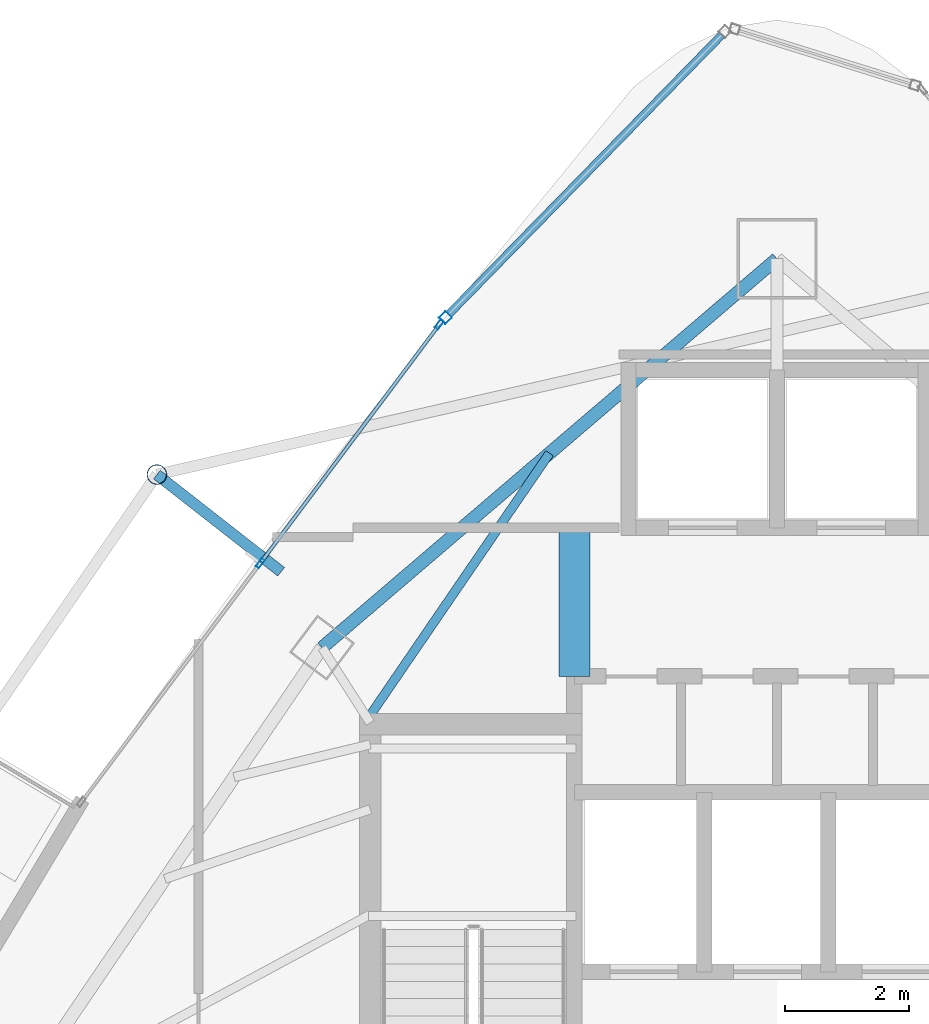
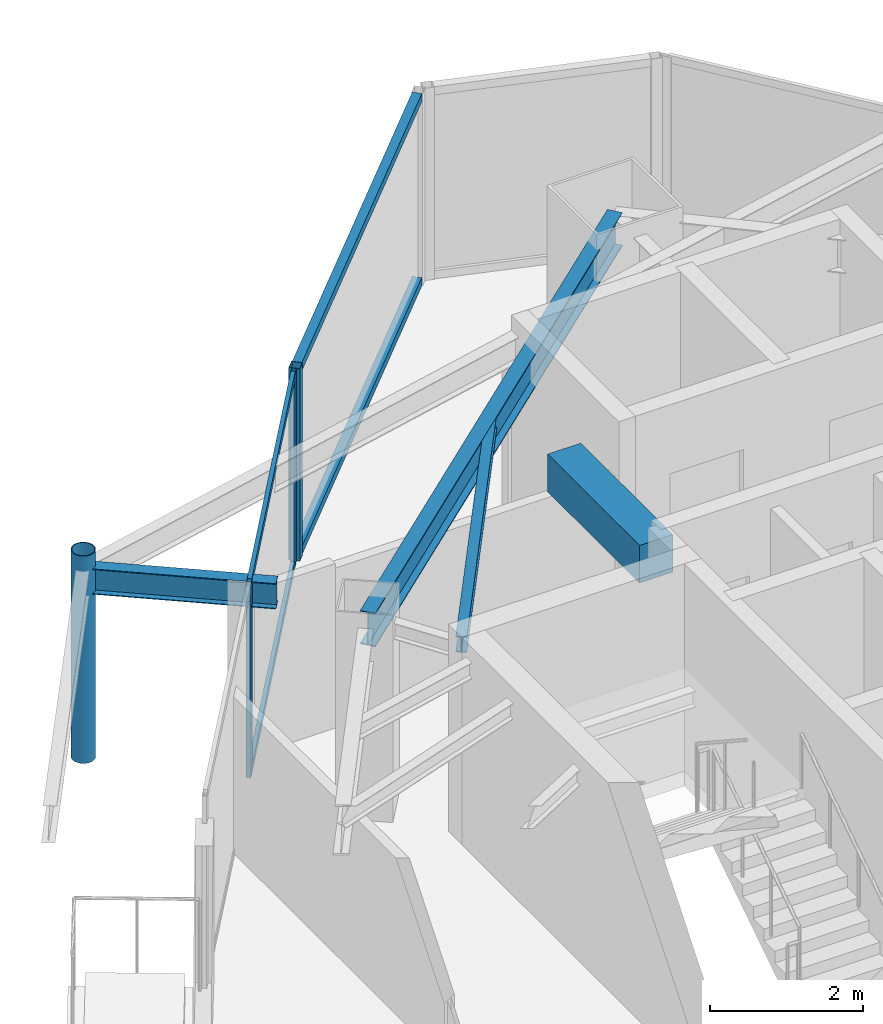
# One storey, part 20 of 29: 8 members, 4 beams, 2 elements without a shape of their own.
"""IFC4 building model written with IfcOpenShell, lengths in metres."""

from ifc_helpers import new_model, si_unit, direction, frame, origin, origin_2d, place, context, subcontext, project, spatial, rectangle, hollow_rectangle, hollow_circle, i_section, extrude, material, layer, layer_set, material_profile, profile_set, type_object, element, aggregate, save


model = new_model("IFC4")

# Units and contexts
model_context = context("Model", 3, precision=1e-05, world=origin(), true_north=direction((0.0, 1.0)))
body_context = subcontext(model_context, "Body", "Model", "MODEL_VIEW")
ifc_project = project(units=[si_unit("LENGTHUNIT", "METRE"), si_unit("AREAUNIT", "SQUARE_METRE"), si_unit("VOLUMEUNIT", "CUBIC_METRE"), si_unit("PLANEANGLEUNIT", "RADIAN"), si_unit("MASSUNIT", "GRAM", prefix="KILO")], contexts=[model_context])

# Site, building, storey
site_placement = place(None, origin())
site = spatial("IfcSite", under=ifc_project, at=site_placement, CompositionType="ELEMENT")
building_placement = place(site_placement, origin())
building = spatial("IfcBuilding", under=site, at=building_placement, Name="Orvanel Arch Residences", CompositionType="ELEMENT")
storey_placement = place(building_placement, frame((0.0, 0.0, 243.64990234375)))
storey = spatial("IfcBuildingStorey", under=building, at=storey_placement, Name="L69", CompositionType="ELEMENT", Elevation=243.64990234375)

# Beams
ifc_material_1 = material(Name="Structural steel AS/NZS 3679.1 Grade 300 (300 MPa)", Category="steel")
ifc_material_profile_1 = material_profile(ifc_material_1, i_section(OverallWidth=0.14599609375, OverallDepth=0.251953125, WebThickness=0.006103515625, FlangeThickness=0.008544921875, at=origin_2d()), Name="250UB31.4")
ifc_profile_set_1 = profile_set([ifc_material_profile_1], Name="Structural steel AS/NZS 3679.1 Grade 300 (300 MPa)")
beam_type_1 = type_object("IfcBeamType", Name="BJ-250UB", PredefinedType="JOIST", material=ifc_profile_set_1)
beam_1_placement = place(storey_placement, frame((26.425048828125, 34.02001953125, 2.93408203125), z_axis=(0.564868085352, 0.825181220188, 0.0), x_axis=(-0.825181220188, 0.564868085352, 0.0)))
element("IfcBeam", 1, at=beam_1_placement, inside=storey, type_object=beam_type_1, Name="L69 NNW2 Wing Floor Joist", PredefinedType="JOIST", context=body_context, shape_type="SweptSolid", body=[
    extrude(i_section(OverallWidth=0.14599609375, OverallDepth=0.251953125, WebThickness=0.006103515625, FlangeThickness=0.008544921875, at=origin_2d()), origin(), (0.0, 0.0, 1.0), 5.132080078125),
])
ifc_material_2 = material(Name="Concrete S65 (65 MPa)", Category="concrete")
ifc_material_profile_2 = material_profile(ifc_material_2, rectangle(XDim=0.5, YDim=0.60009765625, at=origin_2d()), Name="RC500x600")
ifc_profile_set_2 = profile_set([ifc_material_profile_2], Name="Concrete S65 (65 MPa)")
beam_type_2 = type_object("IfcBeamType", Name="CB-500x600", PredefinedType="LINTEL", material=ifc_profile_set_2)
beam_2_placement = place(storey_placement, frame((29.72509765625, 34.64990234375, 2.760009765625), z_axis=(0.0, 1.0, 0.0), x_axis=(-1.0, 0.0, 0.0)))
element("IfcBeam", 2, at=beam_2_placement, inside=storey, type_object=beam_type_2, Name="L69 West Core Lobby Coupling Lintel Beam", PredefinedType="LINTEL", context=body_context, shape_type="SweptSolid", body=[
    extrude(rectangle(XDim=0.5, YDim=0.60009765625, at=origin_2d()), origin(), (0.0, 0.0, 1.0), 2.400146484375),
])

# Curtain wall, member
ifc_material_3 = material(Name="Bronze-anodised aluminium AA6063-T6", Category="aluminium")
ifc_layer_1 = layer(ifc_material_3, 0.18994140625)
ifc_layer_set_1 = layer_set([ifc_layer_1], Name="Bronze-anodised aluminium AA6063-T6")
curtain_wall_type_1 = type_object("IfcCurtainWallType", Name="CW5-CRN-SYS", PredefinedType="NOTDEFINED", material=ifc_layer_set_1)
curtain_wall_1_placement = place(storey_placement, origin())
curtain_wall_1 = element("IfcCurtainWall", 3, at=curtain_wall_1_placement, inside=storey, type_object=curtain_wall_type_1, Name="L69 CW5-CRN-SYS Unitised Curtain Wall", PredefinedType="NOTDEFINED")
ifc_material_profile_3 = material_profile(ifc_material_3, hollow_rectangle(XDim=0.14990234375, YDim=0.14990234375, WallThickness=0.0048828125, at=origin_2d()), Name="ALU150x150x5")
ifc_profile_set_3 = profile_set([ifc_material_profile_3], Name="Bronze-anodised aluminium AA6063-T6")
member_type_1 = type_object("IfcMemberType", Name="MUL-150x150", PredefinedType="MULLION", material=ifc_profile_set_3)
member_1_placement = place(storey_placement, frame((27.641357421875, 40.445556640625, 0.0), z_axis=(0.0, 0.0, 1.0), x_axis=(0.71514941275, -0.69897161419, 0.0)))
member_1 = element("IfcMember", 4, at=member_1_placement, type_object=member_type_1, Name="CW-S5 mullion 2", PredefinedType="MULLION", context=body_context, shape_type="SweptSolid", body=[
    extrude(hollow_rectangle(XDim=0.14990234375, YDim=0.14990234375, WallThickness=0.0048828125, at=origin_2d()), origin(), (0.0, 0.0, 1.0), 3.06005859375),
])

# Curtain wall, members
ifc_layer_2 = layer(ifc_material_3, 0.175048828125)
ifc_layer_set_2 = layer_set([ifc_layer_2], Name="Bronze-anodised aluminium AA6063-T6")
curtain_wall_type_2 = type_object("IfcCurtainWallType", Name="CW4-HI-SYS", PredefinedType="NOTDEFINED", material=ifc_layer_set_2)
curtain_wall_2_placement = place(storey_placement, origin())
curtain_wall_2 = element("IfcCurtainWall", 5, at=curtain_wall_2_placement, inside=storey, type_object=curtain_wall_type_2, Name="L69 CW4-HI-SYS Unitised Curtain Wall", PredefinedType="NOTDEFINED")
ifc_material_profile_4 = material_profile(ifc_material_3, hollow_rectangle(XDim=0.06494140625, YDim=0.159912109375, WallThickness=0.00390625, at=origin_2d()), Name="ALU160x65x4")
ifc_profile_set_4 = profile_set([ifc_material_profile_4], Name="Bronze-anodised aluminium AA6063-T6")
member_type_2 = type_object("IfcMemberType", Name="MUL-160x65", PredefinedType="MULLION", material=ifc_profile_set_4)
member_2_placement = place(storey_placement, frame((27.54345703125, 40.3359375, 0.0), z_axis=(0.0, 0.0, 1.0), x_axis=(0.800074132032, -0.599901144567, 0.0)))
member_2 = element("IfcMember", 6, at=member_2_placement, type_object=member_type_2, Name="CW-S4 mullion 1", PredefinedType="MULLION", context=body_context, shape_type="SweptSolid", body=[
    extrude(hollow_rectangle(XDim=0.06494140625, YDim=0.159912109375, WallThickness=0.00390625, at=origin_2d()), origin(), (0.0, 0.0, 1.0), 3.06005859375),
])
member_3_placement = place(storey_placement, frame((24.64990234375, 36.47705078125, 0.0), z_axis=(0.0, 0.0, 1.0), x_axis=(0.800074132032, -0.599901144567, 0.0)))
member_3 = element("IfcMember", 7, at=member_3_placement, type_object=member_type_2, Name="CW-S4 mullion 2", PredefinedType="MULLION", context=body_context, shape_type="SweptSolid", body=[
    extrude(hollow_rectangle(XDim=0.06494140625, YDim=0.159912109375, WallThickness=0.00390625, at=origin_2d()), origin(), (0.0, 0.0, 1.0), 3.06005859375),
])

# Beams
ifc_material_profile_5 = material_profile(ifc_material_1, i_section(OverallWidth=0.177978515625, OverallDepth=0.406005859375, WebThickness=0.0078125, FlangeThickness=0.0126953125, at=origin_2d()), Name="410UB59.7")
ifc_profile_set_5 = profile_set([ifc_material_profile_5], Name="Structural steel AS/NZS 3679.1 Grade 300 (300 MPa)")
beam_type_3 = type_object("IfcBeamType", Name="OB-410UB-EXT", PredefinedType="SPANDREL", material=ifc_profile_set_5)
beam_3_placement = place(storey_placement, frame((24.987060546875, 36.339111328125, 2.857177734375), z_axis=(-0.787642393719, 0.616132663974, 0.0), x_axis=(-0.616132663974, -0.787642393719, 0.0)))
element("IfcBeam", 8, at=beam_3_placement, inside=storey, type_object=beam_type_3, Name="L69 Outer Frame Radial Tie Beam 01", PredefinedType="SPANDREL", context=body_context, shape_type="SweptSolid", body=[
    extrude(i_section(OverallWidth=0.177978515625, OverallDepth=0.406005859375, WebThickness=0.0078125, FlangeThickness=0.0126953125, at=origin_2d()), origin(), (0.0, 0.0, 1.0), 2.549560546875),
])
ifc_material_profile_6 = material_profile(ifc_material_1, i_section(OverallWidth=0.208984375, OverallDepth=0.532958984375, WebThickness=0.01025390625, FlangeThickness=0.015625, at=origin_2d()), Name="530UB92.4")
ifc_profile_set_6 = profile_set([ifc_material_profile_6], Name="Structural steel AS/NZS 3679.1 Grade 300 (300 MPa)")
beam_type_4 = type_object("IfcBeamType", Name="SP-530UB", PredefinedType="SPANDREL", material=ifc_profile_set_6)
beam_4_placement = place(storey_placement, frame((33.0, 41.39794921875, 2.794189453125), z_axis=(-0.760116518398, -0.649786794617, 0.0), x_axis=(0.649786794617, -0.760116518398, 0.0)))
element("IfcBeam", 9, at=beam_4_placement, inside=storey, type_object=beam_type_4, Name="L69 Perimeter Spandrel Beam 10", PredefinedType="SPANDREL", context=body_context, shape_type="SweptSolid", body=[
    extrude(i_section(OverallWidth=0.208984375, OverallDepth=0.532958984375, WebThickness=0.01025390625, FlangeThickness=0.015625, at=origin_2d()), origin(), (0.0, 0.0, 1.0), 9.67236328125),
])

# Member
ifc_material_4 = material(Name="Structural steel AS/NZS 1163 C350L0 (Grade 350)", Category="steel")
ifc_material_profile_7 = material_profile(ifc_material_4, hollow_circle(Radius=0.162109375, WallThickness=0.0126953125, at=origin_2d()), Name="CHS324x12.7")
ifc_profile_set_7 = profile_set([ifc_material_profile_7], Name="Structural steel AS/NZS 1163 C350L0 (Grade 350)")
member_type_3 = type_object("IfcMemberType", Name="ST-324CHS-EXT", PredefinedType="STRUT", material=ifc_profile_set_7)
member_4_placement = place(storey_placement, frame((22.97900390625, 37.909912109375, 0.0), z_axis=(0.0, 0.0, 1.0), x_axis=(1.0, 0.0, 0.0)))
element("IfcMember", 10, at=member_4_placement, inside=storey, type_object=member_type_3, Name="L69 Outer Perimeter Frame Post 01", PredefinedType="STRUT", context=body_context, shape_type="SweptSolid", body=[
    extrude(hollow_circle(Radius=0.162109375, WallThickness=0.0126953125, at=origin_2d()), origin(), (0.0, 0.0, 1.0), 3.300048828125),
])

ifc_material_profile_8 = material_profile(ifc_material_3, hollow_rectangle(XDim=0.06005859375, YDim=0.1201171875, WallThickness=0.00341796875, at=origin_2d()), Name="ALU120x60x3.5")
ifc_profile_set_8 = profile_set([ifc_material_profile_8], Name="Bronze-anodised aluminium AA6063-T6")
member_type_4 = type_object("IfcMemberType", Name="TRN-120x60", PredefinedType="USERDEFINED", material=ifc_profile_set_8)
member_5_placement = place(storey_placement, frame((27.52392578125, 40.31005859375, 0.030029296875), z_axis=(-0.599885065435, -0.800086188025, 0.0), x_axis=(0.800086188025, -0.599885065435, 0.0)))
member_5 = element("IfcMember", 11, at=member_5_placement, type_object=member_type_4, Name="CW-S4 transom 1.1", ObjectType="TRANSOM", PredefinedType="USERDEFINED", context=body_context, shape_type="SweptSolid", body=[
    extrude(hollow_rectangle(XDim=0.06005859375, YDim=0.1201171875, WallThickness=0.00341796875, at=origin_2d()), origin(), (0.0, 0.0, 1.0), 4.75830078125),
])

member_6_placement = place(storey_placement, frame((27.52392578125, 40.31005859375, 3.030029296875), z_axis=(-0.599885065435, -0.800086188025, 0.0), x_axis=(0.800086188025, -0.599885065435, 0.0)))
member_6 = element("IfcMember", 12, at=member_6_placement, type_object=member_type_4, Name="CW-S4 transom 1.2", ObjectType="TRANSOM", PredefinedType="USERDEFINED", context=body_context, shape_type="SweptSolid", body=[
    extrude(hollow_rectangle(XDim=0.06005859375, YDim=0.1201171875, WallThickness=0.00341796875, at=origin_2d()), origin(), (0.0, 0.0, 1.0), 4.75830078125),
])

aggregate(curtain_wall_2, [member_2, member_3, member_5, member_6])

ifc_material_profile_9 = material_profile(ifc_material_3, hollow_rectangle(XDim=0.1298828125, YDim=0.1298828125, WallThickness=0.00439453125, at=origin_2d()), Name="ALU130x130x4.5")
ifc_profile_set_9 = profile_set([ifc_material_profile_9], Name="Bronze-anodised aluminium AA6063-T6")
member_type_5 = type_object("IfcMemberType", Name="TRN-130x130", PredefinedType="USERDEFINED", material=ifc_profile_set_9)
member_7_placement = place(storey_placement, frame((32.107177734375, 45.0146484375, 0.065185546875), z_axis=(-0.698979244305, -0.71514195516, 0.0), x_axis=(0.71514195516, -0.698979244305, 0.0)))
member_7 = element("IfcMember", 13, at=member_7_placement, type_object=member_type_5, Name="CW-S5 transom 1.1", ObjectType="TRANSOM", PredefinedType="USERDEFINED", context=body_context, shape_type="SweptSolid", body=[
    extrude(hollow_rectangle(XDim=0.1298828125, YDim=0.1298828125, WallThickness=0.00439453125, at=origin_2d()), origin(), (0.0, 0.0, 1.0), 6.31396484375),
])

member_8_placement = place(storey_placement, frame((32.107177734375, 45.0146484375, 2.9951171875), z_axis=(-0.698979244305, -0.71514195516, 0.0), x_axis=(0.71514195516, -0.698979244305, 0.0)))
member_8 = element("IfcMember", 14, at=member_8_placement, type_object=member_type_5, Name="CW-S5 transom 1.2", ObjectType="TRANSOM", PredefinedType="USERDEFINED", context=body_context, shape_type="SweptSolid", body=[
    extrude(hollow_rectangle(XDim=0.1298828125, YDim=0.1298828125, WallThickness=0.00439453125, at=origin_2d()), origin(), (0.0, 0.0, 1.0), 6.31396484375),
])

aggregate(curtain_wall_1, [member_1, member_7, member_8])

save(model, "model.ifc")
